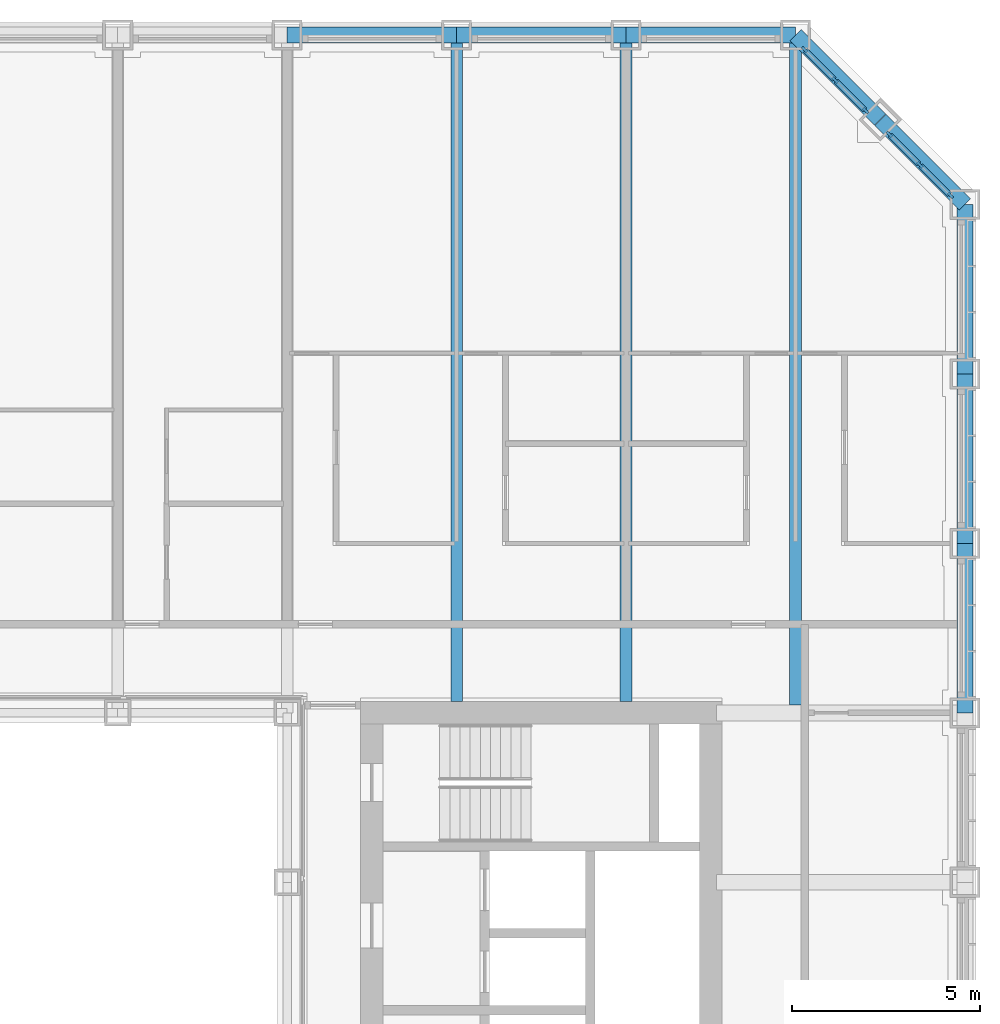
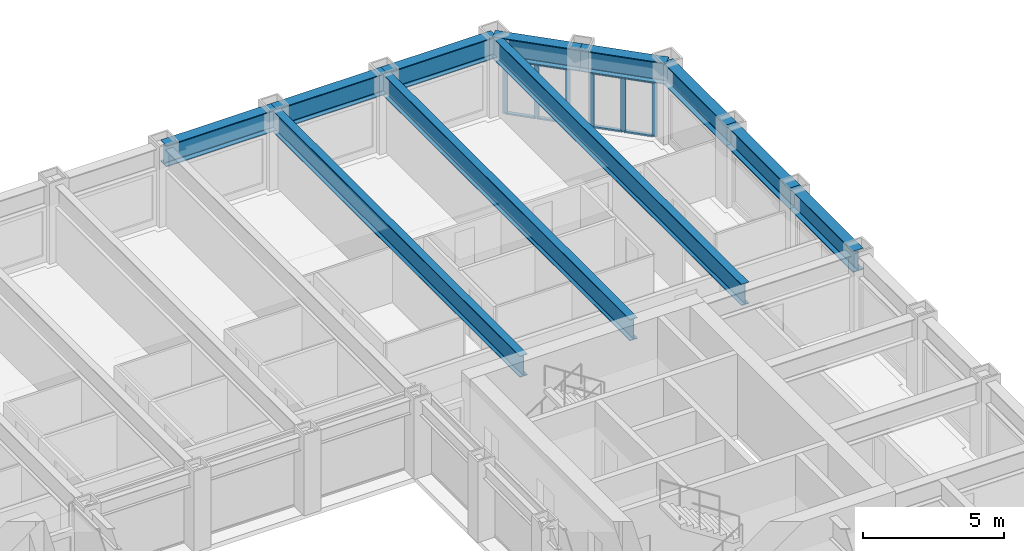
# One storey, part 7 of 21: 14 members, 11 beams, 2 elements without a shape of their own.
"""IFC4 building model written with IfcOpenShell, lengths in metres."""

from ifc_helpers import new_model, si_unit, direction, frame, origin, origin_2d, place, context, subcontext, project, spatial, rectangle, i_section, extrude, material, material_profile, profile_set, type_object, element, aggregate, save


model = new_model("IFC4")

# Units and contexts
model_context = context("Model", 3, precision=1e-05, world=origin(), true_north=direction((0.0, 1.0)))
body_context = subcontext(model_context, "Body", "Model", "MODEL_VIEW")
ifc_project = project(units=[si_unit("LENGTHUNIT", "METRE"), si_unit("AREAUNIT", "SQUARE_METRE"), si_unit("VOLUMEUNIT", "CUBIC_METRE"), si_unit("PLANEANGLEUNIT", "RADIAN"), si_unit("MASSUNIT", "GRAM", prefix="KILO")], contexts=[model_context])

# Site, building, storey
site_placement = place(None, origin())
site = spatial("IfcSite", under=ifc_project, at=site_placement, CompositionType="ELEMENT")
building_placement = place(site_placement, origin())
building = spatial("IfcBuilding", under=site, at=building_placement, Name="Msasa Ring Tower", CompositionType="ELEMENT")
storey_placement = place(building_placement, frame((0.0, 0.0, 37.0)))
storey = spatial("IfcBuildingStorey", under=building, at=storey_placement, Name="L08", CompositionType="ELEMENT", Elevation=37.0)

# Curtain wall, members
ifc_material_1 = material(Name="Aluminium curtain wall with clear glass", Category="aluminium")
curtain_wall_type = type_object("IfcCurtainWallType", Name="CW-C CHAMFER CORNER CURTAIN WALL", PredefinedType="NOTDEFINED", material=ifc_material_1)
curtain_wall_1_placement = place(storey_placement, origin())
curtain_wall_1 = element("IfcCurtainWall", 1, at=curtain_wall_1_placement, inside=storey, type_object=curtain_wall_type, Name="Chamfer corner curtain wall NE L08", PredefinedType="NOTDEFINED")
ifc_material_2 = material(Name="Aluminium mullion", Category="aluminium")
ifc_material_profile_1 = material_profile(ifc_material_2, rectangle(XDim=0.06494140625, YDim=0.179931640625, at=origin_2d()), Name="AL 65x180")
ifc_profile_set_1 = profile_set([ifc_material_profile_1], Name="Aluminium mullion")
member_type_1 = type_object("IfcMemberType", Name="CW-C MULLION 65x180", PredefinedType="MULLION", material=ifc_profile_set_1)
member_1_placement = place(storey_placement, frame((22.119873046875, 22.73876953125, 0.0), z_axis=(0.0, 0.0, 1.0), x_axis=(-0.707106781187, -0.707106781187, 0.0)))
member_1 = element("IfcMember", 2, at=member_1_placement, type_object=member_type_1, Name="CW-C mullion 1", PredefinedType="MULLION", context=body_context, shape_type="SweptSolid", body=[
    extrude(rectangle(XDim=0.06494140625, YDim=0.179931640625, at=origin_2d()), origin(), (0.0, 0.0, 1.0), 2.37890625),
])
member_2_placement = place(storey_placement, frame((21.30419921875, 23.55419921875, 0.0), z_axis=(0.0, 0.0, 1.0), x_axis=(-0.707106781187, -0.707106781187, 0.0)))
member_2 = element("IfcMember", 3, at=member_2_placement, type_object=member_type_1, Name="CW-C mullion 2", PredefinedType="MULLION", context=body_context, shape_type="SweptSolid", body=[
    extrude(rectangle(XDim=0.06494140625, YDim=0.179931640625, at=origin_2d()), origin(), (0.0, 0.0, 1.0), 2.37890625),
])
member_3_placement = place(storey_placement, frame((20.48876953125, 24.369873046875, 0.0), z_axis=(0.0, 0.0, 1.0), x_axis=(-0.707106781187, -0.707106781187, 0.0)))
member_3 = element("IfcMember", 4, at=member_3_placement, type_object=member_type_1, Name="CW-C mullion 3", PredefinedType="MULLION", context=body_context, shape_type="SweptSolid", body=[
    extrude(rectangle(XDim=0.06494140625, YDim=0.179931640625, at=origin_2d()), origin(), (0.0, 0.0, 1.0), 2.37890625),
])

curtain_wall_2_placement = place(storey_placement, origin())
curtain_wall_2 = element("IfcCurtainWall", 5, at=curtain_wall_2_placement, inside=storey, type_object=curtain_wall_type, Name="Chamfer corner curtain wall NE L08", PredefinedType="NOTDEFINED")
member_4_placement = place(storey_placement, frame((24.369873046875, 20.48876953125, 0.0), z_axis=(0.0, 0.0, 1.0), x_axis=(-0.707106781187, -0.707106781187, 0.0)))
member_4 = element("IfcMember", 6, at=member_4_placement, type_object=member_type_1, Name="CW-C mullion 1", PredefinedType="MULLION", context=body_context, shape_type="SweptSolid", body=[
    extrude(rectangle(XDim=0.06494140625, YDim=0.179931640625, at=origin_2d()), origin(), (0.0, 0.0, 1.0), 2.37890625),
])
member_5_placement = place(storey_placement, frame((23.55419921875, 21.30419921875, 0.0), z_axis=(0.0, 0.0, 1.0), x_axis=(-0.707106781187, -0.707106781187, 0.0)))
member_5 = element("IfcMember", 7, at=member_5_placement, type_object=member_type_1, Name="CW-C mullion 2", PredefinedType="MULLION", context=body_context, shape_type="SweptSolid", body=[
    extrude(rectangle(XDim=0.06494140625, YDim=0.179931640625, at=origin_2d()), origin(), (0.0, 0.0, 1.0), 2.37890625),
])
member_6_placement = place(storey_placement, frame((22.73876953125, 22.119873046875, 0.0), z_axis=(0.0, 0.0, 1.0), x_axis=(-0.707106781187, -0.707106781187, 0.0)))
member_6 = element("IfcMember", 8, at=member_6_placement, type_object=member_type_1, Name="CW-C mullion 3", PredefinedType="MULLION", context=body_context, shape_type="SweptSolid", body=[
    extrude(rectangle(XDim=0.06494140625, YDim=0.179931640625, at=origin_2d()), origin(), (0.0, 0.0, 1.0), 2.37890625),
])

# Member
ifc_material_3 = material(Name="Aluminium transom", Category="aluminium")
ifc_material_profile_2 = material_profile(ifc_material_3, rectangle(XDim=0.139892578125, YDim=0.06494140625, at=origin_2d()), Name="AL 65x140")
ifc_profile_set_2 = profile_set([ifc_material_profile_2], Name="Aluminium transom")
member_type_2 = type_object("IfcMemberType", Name="CW-C TRANSOM 65x140", PredefinedType="USERDEFINED", material=ifc_profile_set_2)
member_7_placement = place(storey_placement, frame((22.096923828125, 22.76171875, 0.032470703125), z_axis=(-0.707106781187, 0.707106781187, 0.0), x_axis=(-0.707106781187, -0.707106781187, 0.0)))
member_7 = element("IfcMember", 9, at=member_7_placement, type_object=member_type_2, Name="CW-C transom 1.1", ObjectType="TRANSOM", PredefinedType="USERDEFINED", context=body_context, shape_type="SweptSolid", body=[
    extrude(rectangle(XDim=0.139892578125, YDim=0.06494140625, at=origin_2d()), origin(), (0.0, 0.0, 1.0), 1.08837890625),
])

member_8_placement = place(storey_placement, frame((22.096923828125, 22.76171875, 2.346435546875), z_axis=(-0.707106781187, 0.707106781187, 0.0), x_axis=(-0.707106781187, -0.707106781187, 0.0)))
member_8 = element("IfcMember", 10, at=member_8_placement, type_object=member_type_2, Name="CW-C transom 1.2", ObjectType="TRANSOM", PredefinedType="USERDEFINED", context=body_context, shape_type="SweptSolid", body=[
    extrude(rectangle(XDim=0.139892578125, YDim=0.06494140625, at=origin_2d()), origin(), (0.0, 0.0, 1.0), 1.08837890625),
])

member_9_placement = place(storey_placement, frame((21.28125, 23.577392578125, 0.032470703125), z_axis=(-0.707106781187, 0.707106781187, 0.0), x_axis=(-0.707106781187, -0.707106781187, 0.0)))
member_9 = element("IfcMember", 11, at=member_9_placement, type_object=member_type_2, Name="CW-C transom 2.1", ObjectType="TRANSOM", PredefinedType="USERDEFINED", context=body_context, shape_type="SweptSolid", body=[
    extrude(rectangle(XDim=0.139892578125, YDim=0.06494140625, at=origin_2d()), origin(), (0.0, 0.0, 1.0), 1.08837890625),
])

member_10_placement = place(storey_placement, frame((21.28125, 23.577392578125, 2.346435546875), z_axis=(-0.707106781187, 0.707106781187, 0.0), x_axis=(-0.707106781187, -0.707106781187, 0.0)))
member_10 = element("IfcMember", 12, at=member_10_placement, type_object=member_type_2, Name="CW-C transom 2.2", ObjectType="TRANSOM", PredefinedType="USERDEFINED", context=body_context, shape_type="SweptSolid", body=[
    extrude(rectangle(XDim=0.139892578125, YDim=0.06494140625, at=origin_2d()), origin(), (0.0, 0.0, 1.0), 1.08837890625),
])

aggregate(curtain_wall_1, [member_1, member_2, member_3, member_7, member_8, member_9, member_10])

member_11_placement = place(storey_placement, frame((24.346923828125, 20.51171875, 0.032470703125), z_axis=(-0.707106781187, 0.707106781187, 0.0), x_axis=(-0.707106781187, -0.707106781187, 0.0)))
member_11 = element("IfcMember", 13, at=member_11_placement, type_object=member_type_2, Name="CW-C transom 1.1", ObjectType="TRANSOM", PredefinedType="USERDEFINED", context=body_context, shape_type="SweptSolid", body=[
    extrude(rectangle(XDim=0.139892578125, YDim=0.06494140625, at=origin_2d()), origin(), (0.0, 0.0, 1.0), 1.08837890625),
])

member_12_placement = place(storey_placement, frame((24.346923828125, 20.51171875, 2.346435546875), z_axis=(-0.707106781187, 0.707106781187, 0.0), x_axis=(-0.707106781187, -0.707106781187, 0.0)))
member_12 = element("IfcMember", 14, at=member_12_placement, type_object=member_type_2, Name="CW-C transom 1.2", ObjectType="TRANSOM", PredefinedType="USERDEFINED", context=body_context, shape_type="SweptSolid", body=[
    extrude(rectangle(XDim=0.139892578125, YDim=0.06494140625, at=origin_2d()), origin(), (0.0, 0.0, 1.0), 1.08837890625),
])

member_13_placement = place(storey_placement, frame((23.53125, 21.327392578125, 0.032470703125), z_axis=(-0.707106781187, 0.707106781187, 0.0), x_axis=(-0.707106781187, -0.707106781187, 0.0)))
member_13 = element("IfcMember", 15, at=member_13_placement, type_object=member_type_2, Name="CW-C transom 2.1", ObjectType="TRANSOM", PredefinedType="USERDEFINED", context=body_context, shape_type="SweptSolid", body=[
    extrude(rectangle(XDim=0.139892578125, YDim=0.06494140625, at=origin_2d()), origin(), (0.0, 0.0, 1.0), 1.08837890625),
])

member_14_placement = place(storey_placement, frame((23.53125, 21.327392578125, 2.346435546875), z_axis=(-0.707106781187, 0.707106781187, 0.0), x_axis=(-0.707106781187, -0.707106781187, 0.0)))
member_14 = element("IfcMember", 16, at=member_14_placement, type_object=member_type_2, Name="CW-C transom 2.2", ObjectType="TRANSOM", PredefinedType="USERDEFINED", context=body_context, shape_type="SweptSolid", body=[
    extrude(rectangle(XDim=0.139892578125, YDim=0.06494140625, at=origin_2d()), origin(), (0.0, 0.0, 1.0), 1.08837890625),
])

aggregate(curtain_wall_2, [member_4, member_5, member_6, member_11, member_12, member_13, member_14])

# Beams
ifc_material_4 = material(Name="Steel S355", Category="steel")
ifc_material_profile_3 = material_profile(ifc_material_4, i_section(OverallWidth=0.3076171875, OverallDepth=0.926513671875, WebThickness=0.01953125, FlangeThickness=0.031982421875, FilletRadius=0.01904296875, at=origin_2d()), Name="UB 914x305x289")
ifc_profile_set_3 = profile_set([ifc_material_profile_3], Name="Steel S355")
beam_type_1 = type_object("IfcBeamType", Name="FB3 UB 914x305x289", PredefinedType="BEAM", material=ifc_profile_set_3)
for number, where, z_axis, x_axis, name in (
    (17, (11.25, 24.75, 2.836669921875), (0.0, -1.0, 0.0), (1.0, 0.0, 0.0), "Floor beam N+11.25 under L09"),
    (18, (15.75, 24.75, 2.836669921875), (0.0, -1.0, 0.0), (1.0, 0.0, 0.0), "Floor beam N+15.75 under L09"),
):
    element("IfcBeam", number, at=place(storey_placement, frame(where, z_axis=z_axis, x_axis=x_axis)), inside=storey, type_object=beam_type_1, Name=name, PredefinedType="BEAM", context=body_context, shape_type="SweptSolid", body=[
        extrude(i_section(OverallWidth=0.3076171875, OverallDepth=0.926513671875, WebThickness=0.01953125, FlangeThickness=0.031982421875, FilletRadius=0.01904296875, at=origin_2d()), origin(), (0.0, 0.0, 1.0), 17.699951171875),
    ])
beam_placement = place(storey_placement, frame((20.25, 24.75, 2.836669921875), z_axis=(0.0, -1.0, 0.0), x_axis=(1.0, 0.0, 0.0)))
element("IfcBeam", 19, at=beam_placement, inside=storey, type_object=beam_type_1, Name="Floor beam N+20.25 under L09", PredefinedType="BEAM", context=body_context, shape_type="SweptSolid", body=[
    extrude(i_section(OverallWidth=0.3076171875, OverallDepth=0.926513671875, WebThickness=0.01953125, FlangeThickness=0.031982421875, FilletRadius=0.01904296875, at=origin_2d()), origin(), (0.0, 0.0, 1.0), 17.789794921875),
])
ifc_material_5 = material(Name="Steel S355", Category="steel")
ifc_material_profile_4 = material_profile(ifc_material_5, i_section(OverallWidth=0.42041015625, OverallDepth=0.9208984375, WebThickness=0.021484375, FlangeThickness=0.03662109375, FilletRadius=0.024169921875, at=origin_2d()), Name="UB 914x419x388")
ifc_profile_set_4 = profile_set([ifc_material_profile_4], Name="Steel S355")
beam_type_2 = type_object("IfcBeamType", Name="SB1 UB 914x419x388", PredefinedType="SPANDREL", material=ifc_profile_set_4)
for number, where, z_axis, x_axis, name in (
    (20, (24.75, 6.75, 2.839599609375), (0.0, 1.0, 0.0), (-1.0, 0.0, 0.0), "Spandrel E+6.75 to E+11.25 under L09"),
    (21, (24.75, 11.25, 2.839599609375), (0.0, 1.0, 0.0), (-1.0, 0.0, 0.0), "Spandrel E+11.25 to E+15.75 under L09"),
    (22, (24.75, 15.75, 2.839599609375), (0.0, 1.0, 0.0), (-1.0, 0.0, 0.0), "Spandrel E+15.75 to E+20.25 under L09"),
):
    element("IfcBeam", number, at=place(storey_placement, frame(where, z_axis=z_axis, x_axis=x_axis)), inside=storey, type_object=beam_type_2, Name=name, PredefinedType="SPANDREL", context=body_context, shape_type="SweptSolid", body=[
        extrude(i_section(OverallWidth=0.42041015625, OverallDepth=0.9208984375, WebThickness=0.021484375, FlangeThickness=0.03662109375, FilletRadius=0.024169921875, at=origin_2d()), origin(), (0.0, 0.0, 1.0), 4.5),
    ])
for number, where, z_axis, x_axis, name in (
    (23, (24.75, 20.25, 2.839599609375), (-0.707106781187, 0.707106781187, 0.0), (-0.707106781187, -0.707106781187, 0.0), "Spandrel E+20.25 to NE under L09"),
    (24, (22.5, 22.5, 2.839599609375), (-0.707106781187, 0.707106781187, 0.0), (-0.707106781187, -0.707106781187, 0.0), "Spandrel NE to N+20.25 under L09"),
):
    element("IfcBeam", number, at=place(storey_placement, frame(where, z_axis=z_axis, x_axis=x_axis)), inside=storey, type_object=beam_type_2, Name=name, PredefinedType="SPANDREL", context=body_context, shape_type="SweptSolid", body=[
        extrude(i_section(OverallWidth=0.42041015625, OverallDepth=0.9208984375, WebThickness=0.021484375, FlangeThickness=0.03662109375, FilletRadius=0.024169921875, at=origin_2d()), origin(), (0.0, 0.0, 1.0), 3.181884765625),
    ])
for number, where, z_axis, x_axis, name in (
    (25, (20.25, 24.75, 2.839599609375), (-1.0, 0.0, 0.0), (0.0, -1.0, 0.0), "Spandrel N+20.25 to N+15.75 under L09"),
    (26, (15.75, 24.75, 2.839599609375), (-1.0, 0.0, 0.0), (0.0, -1.0, 0.0), "Spandrel N+15.75 to N+11.25 under L09"),
    (27, (11.25, 24.75, 2.839599609375), (-1.0, 0.0, 0.0), (0.0, -1.0, 0.0), "Spandrel N+11.25 to N+6.75 under L09"),
):
    element("IfcBeam", number, at=place(storey_placement, frame(where, z_axis=z_axis, x_axis=x_axis)), inside=storey, type_object=beam_type_2, Name=name, PredefinedType="SPANDREL", context=body_context, shape_type="SweptSolid", body=[
        extrude(i_section(OverallWidth=0.42041015625, OverallDepth=0.9208984375, WebThickness=0.021484375, FlangeThickness=0.03662109375, FilletRadius=0.024169921875, at=origin_2d()), origin(), (0.0, 0.0, 1.0), 4.5),
    ])

save(model, "model.ifc")
